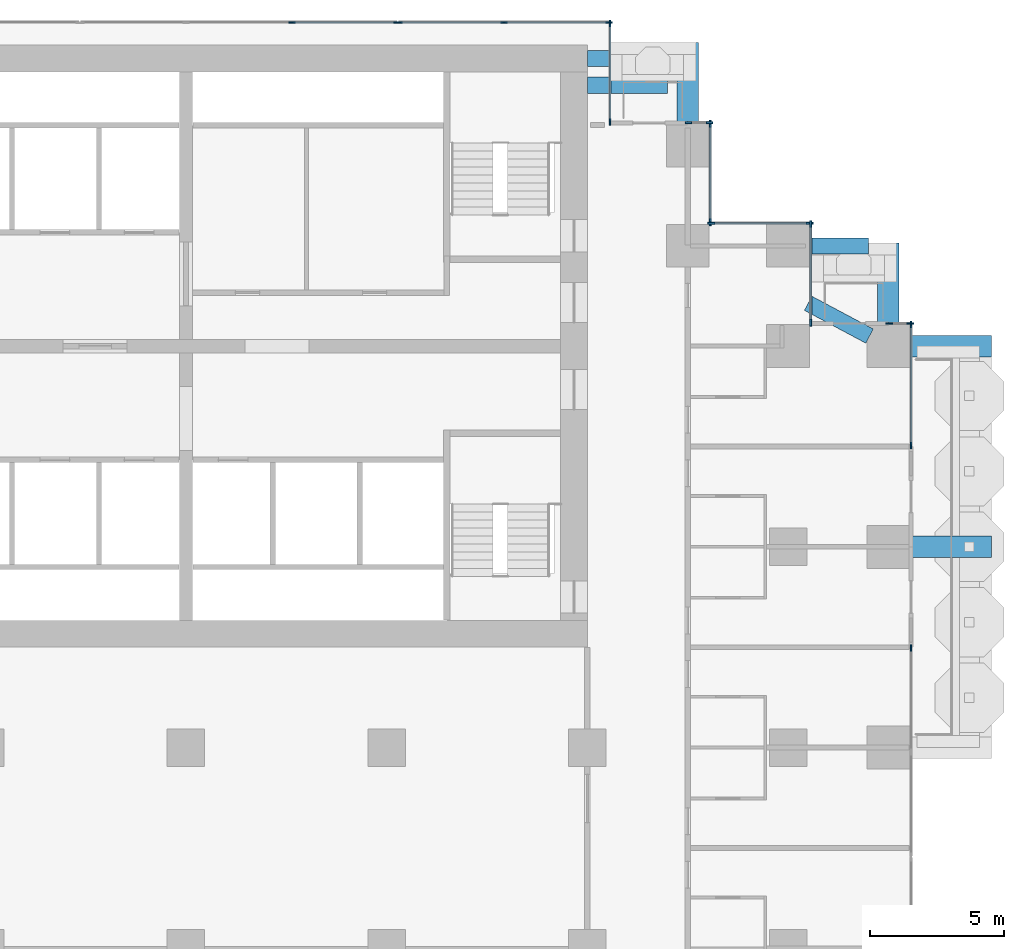
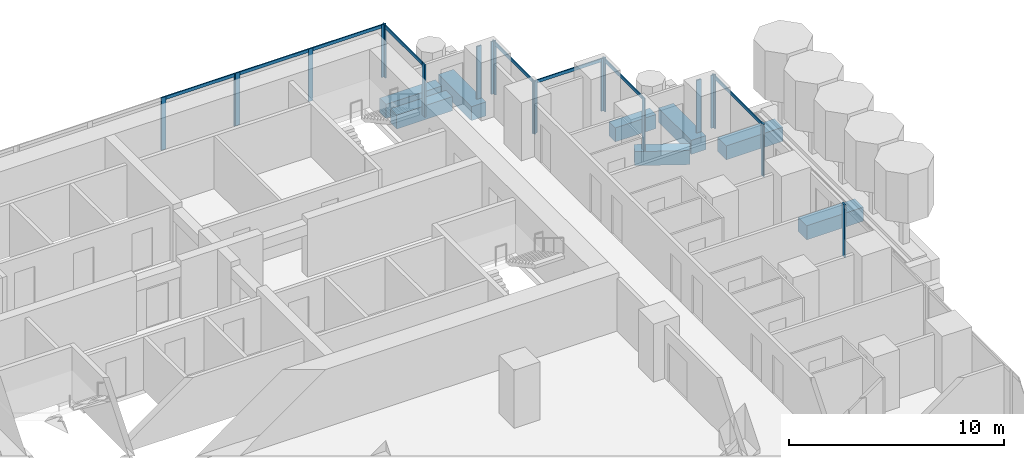
# One storey, part 5 of 19: 28 members, 8 beams, 10 elements without a shape of their own.
"""IFC4 building model written with IfcOpenShell, lengths in metres."""

from ifc_helpers import new_model, si_unit, direction, frame, origin, origin_2d, place, context, subcontext, project, spatial, rectangle, extrude, material, material_profile, profile_set, type_object, element, aggregate, save


model = new_model("IFC4")

# Units and contexts
model_context = context("Model", 3, precision=1e-05, world=origin(), true_north=direction((0.0, 1.0)))
body_context = subcontext(model_context, "Body", "Model", "MODEL_VIEW")
ifc_project = project(units=[si_unit("LENGTHUNIT", "METRE"), si_unit("AREAUNIT", "SQUARE_METRE"), si_unit("VOLUMEUNIT", "CUBIC_METRE"), si_unit("PLANEANGLEUNIT", "RADIAN"), si_unit("MASSUNIT", "GRAM", prefix="KILO")], contexts=[model_context])

# Site, building, storey
site_placement = place(None, origin())
site = spatial("IfcSite", under=ifc_project, at=site_placement, CompositionType="ELEMENT")
building_placement = place(site_placement, origin())
building = spatial("IfcBuilding", under=site, at=building_placement, Name="Pilkhan Gate Tower", CompositionType="ELEMENT")
storey_placement = place(building_placement, frame((0.0, 0.0, 39.5)))
storey = spatial("IfcBuildingStorey", under=building, at=storey_placement, Name="L06", CompositionType="ELEMENT", Elevation=39.5)

# Beams
ifc_material_1 = material(Name="Concrete C50/60", Category="concrete")
ifc_material_profile_1 = material_profile(ifc_material_1, rectangle(XDim=0.60009765625, YDim=0.800048828125, at=origin_2d()), Name="RC 600x800")
ifc_profile_set_1 = profile_set([ifc_material_profile_1], Name="Concrete C50/60")
beam_type_1 = type_object("IfcBeamType", Name="Cantilever beam CB1 RC 600x800 C50/60", PredefinedType="BEAM", material=ifc_profile_set_1)
for number, where, z_axis, x_axis, name in (
    (1, (90.0, 93.25, -0.699951171875), (1.0, 0.0, 0.0), (0.0, 1.0, 0.0), "Balcony beam NE.2 L06"),
    (2, (90.0, 92.25, -0.699951171875), (1.0, 0.0, 0.0), (0.0, 1.0, 0.0), "Balcony beam NE.3 L06"),
):
    element("IfcBeam", number, at=place(storey_placement, frame(where, z_axis=z_axis, x_axis=x_axis)), inside=storey, type_object=beam_type_1, Name=name, PredefinedType="BEAM", context=body_context, shape_type="SweptSolid", body=[
        extrude(rectangle(XDim=0.60009765625, YDim=0.800048828125, at=origin_2d()), origin(), (0.0, 0.0, 1.0), 3.0),
    ])
beam_1_placement = place(storey_placement, frame((98.300048828125, 86.25, -0.699951171875), z_axis=(1.0, 0.0, 0.0), x_axis=(0.0, 1.0, 0.0)))
element("IfcBeam", 3, at=beam_1_placement, inside=storey, type_object=beam_type_1, Name="Balcony beam NE2.2 L06", PredefinedType="BEAM", context=body_context, shape_type="SweptSolid", body=[
    extrude(rectangle(XDim=0.60009765625, YDim=0.800048828125, at=origin_2d()), origin(), (0.0, 0.0, 1.0), 2.199951171875),
])
beam_2_placement = place(storey_placement, frame((100.544189453125, 82.87646484375, -0.699951171875), z_axis=(-0.882342544151, 0.470607729199, 0.0), x_axis=(-0.470607729199, -0.882342544151, 0.0)))
element("IfcBeam", 4, at=beam_2_placement, inside=storey, type_object=beam_type_1, Name="Balcony beam NE2.3 L06", PredefinedType="BEAM", context=body_context, shape_type="SweptSolid", body=[
    extrude(rectangle(XDim=0.60009765625, YDim=0.800048828125, at=origin_2d()), origin(), (0.0, 0.0, 1.0), 2.60009765625),
])
ifc_material_profile_2 = material_profile(ifc_material_1, rectangle(XDim=0.800048828125, YDim=0.800048828125, at=origin_2d()), Name="RC 800x800")
ifc_profile_set_2 = profile_set([ifc_material_profile_2], Name="Concrete C50/60")
beam_type_2 = type_object("IfcBeamType", Name="Cantilever beam CB2 RC 800x800 C50/60", PredefinedType="BEAM", material=ifc_profile_set_2)
for number, where, z_axis, x_axis, name in (
    (5, (102.050048828125, 75.0, -0.699951171875), (1.0, 0.0, 0.0), (0.0, 1.0, 0.0), "Balcony beam E.2 L06"),
    (6, (102.050048828125, 82.5, -0.699951171875), (1.0, 0.0, 0.0), (0.0, 1.0, 0.0), "Balcony beam E.3 L06"),
    (7, (93.75, 90.800048828125, -0.699951171875), (0.0, 1.0, 0.0), (-1.0, 0.0, 0.0), "Balcony beam NE.1 L06"),
    (8, (101.25, 83.300048828125, -0.699951171875), (0.0, 1.0, 0.0), (-1.0, 0.0, 0.0), "Balcony beam NE2.1 L06"),
):
    element("IfcBeam", number, at=place(storey_placement, frame(where, z_axis=z_axis, x_axis=x_axis)), inside=storey, type_object=beam_type_2, Name=name, PredefinedType="BEAM", context=body_context, shape_type="SweptSolid", body=[
        extrude(rectangle(XDim=0.800048828125, YDim=0.800048828125, at=origin_2d()), origin(), (0.0, 0.0, 1.0), 3.050048828125),
    ])

# Curtain wall, member
ifc_material_2 = material(Name="Pale anodised aluminium, clear low-iron double glazing", Category="aluminium")
curtain_wall_type = type_object("IfcCurtainWallType", Name="Hotel unitised curtain wall CW-H", PredefinedType="USERDEFINED", material=ifc_material_2)
curtain_wall_1_placement = place(storey_placement, origin())
curtain_wall_1 = element("IfcCurtainWall", 9, at=curtain_wall_1_placement, inside=storey, type_object=curtain_wall_type, Name="Hotel unitised curtain wall CW-H L06 E", ObjectType="UNITISED CURTAIN WALL", PredefinedType="USERDEFINED")
ifc_material_3 = material(Name="Pale anodised aluminium", Category="aluminium")
ifc_material_profile_3 = material_profile(ifc_material_3, rectangle(XDim=0.06494140625, YDim=0.25, at=origin_2d()), Name="Mullion 250x65")
ifc_profile_set_3 = profile_set([ifc_material_profile_3], Name="Pale anodised aluminium")
member_type_1 = type_object("IfcMemberType", Name="Mullion CW-H 250x65", PredefinedType="MULLION", material=ifc_profile_set_3)
member_1_placement = place(storey_placement, frame((102.094970703125, 71.217529296875, 0.0), z_axis=(0.0, 0.0, 1.0), x_axis=(-1.0, 0.0, 0.0)))
member_1 = element("IfcMember", 10, at=member_1_placement, type_object=member_type_1, Name="CW-H mullion 3", PredefinedType="MULLION", context=body_context, shape_type="SweptSolid", body=[
    extrude(rectangle(XDim=0.06494140625, YDim=0.25, at=origin_2d()), origin(), (0.0, 0.0, 1.0), 3.0),
])
aggregate(curtain_wall_1, [member_1])

# Curtain wall, members
curtain_wall_2_placement = place(storey_placement, origin())
curtain_wall_2 = element("IfcCurtainWall", 11, at=curtain_wall_2_placement, inside=storey, type_object=curtain_wall_type, Name="Hotel unitised curtain wall CW-H L06 E", ObjectType="UNITISED CURTAIN WALL", PredefinedType="USERDEFINED")
member_2_placement = place(storey_placement, frame((102.094970703125, 78.782470703125, 0.0), z_axis=(0.0, 0.0, 1.0), x_axis=(-1.0, 0.0, 0.0)))
member_2 = element("IfcMember", 12, at=member_2_placement, type_object=member_type_1, Name="CW-H mullion 1", PredefinedType="MULLION", context=body_context, shape_type="SweptSolid", body=[
    extrude(rectangle(XDim=0.06494140625, YDim=0.25, at=origin_2d()), origin(), (0.0, 0.0, 1.0), 3.0),
])
member_3_placement = place(storey_placement, frame((102.094970703125, 83.3125, 0.0), z_axis=(0.0, 0.0, 1.0), x_axis=(-1.0, 0.0, 0.0)))
member_3 = element("IfcMember", 13, at=member_3_placement, type_object=member_type_1, Name="CW-H mullion 2", PredefinedType="MULLION", context=body_context, shape_type="SweptSolid", body=[
    extrude(rectangle(XDim=0.06494140625, YDim=0.25, at=origin_2d()), origin(), (0.0, 0.0, 1.0), 3.0),
])

curtain_wall_3_placement = place(storey_placement, origin())
curtain_wall_3 = element("IfcCurtainWall", 14, at=curtain_wall_3_placement, inside=storey, type_object=curtain_wall_type, Name="Hotel unitised curtain wall CW-H L06 N", ObjectType="UNITISED CURTAIN WALL", PredefinedType="USERDEFINED")
member_4_placement = place(storey_placement, frame((101.282470703125, 83.344970703125, 0.0), z_axis=(0.0, 0.0, 1.0), x_axis=(0.0, 1.0, 0.0)))
member_4 = element("IfcMember", 15, at=member_4_placement, type_object=member_type_1, Name="CW-H mullion 1", PredefinedType="MULLION", context=body_context, shape_type="SweptSolid", body=[
    extrude(rectangle(XDim=0.06494140625, YDim=0.25, at=origin_2d()), origin(), (0.0, 0.0, 1.0), 3.0),
])
member_5_placement = place(storey_placement, frame((102.0625, 83.344970703125, 0.0), z_axis=(0.0, 0.0, 1.0), x_axis=(0.0, 1.0, 0.0)))
member_5 = element("IfcMember", 16, at=member_5_placement, type_object=member_type_1, Name="CW-H mullion 2", PredefinedType="MULLION", context=body_context, shape_type="SweptSolid", body=[
    extrude(rectangle(XDim=0.06494140625, YDim=0.25, at=origin_2d()), origin(), (0.0, 0.0, 1.0), 3.0),
])
aggregate(curtain_wall_3, [member_4, member_5])

curtain_wall_4_placement = place(storey_placement, origin())
curtain_wall_4 = element("IfcCurtainWall", 17, at=curtain_wall_4_placement, inside=storey, type_object=curtain_wall_type, Name="Hotel unitised curtain wall CW-H L06 E", ObjectType="UNITISED CURTAIN WALL", PredefinedType="USERDEFINED")
member_6_placement = place(storey_placement, frame((98.344970703125, 83.37744140625, 0.0), z_axis=(0.0, 0.0, 1.0), x_axis=(-1.0, 0.0, 0.0)))
member_6 = element("IfcMember", 18, at=member_6_placement, type_object=member_type_1, Name="CW-H mullion 1", PredefinedType="MULLION", context=body_context, shape_type="SweptSolid", body=[
    extrude(rectangle(XDim=0.06494140625, YDim=0.25, at=origin_2d()), origin(), (0.0, 0.0, 1.0), 3.0),
])
member_7_placement = place(storey_placement, frame((98.344970703125, 87.0625, 0.0), z_axis=(0.0, 0.0, 1.0), x_axis=(-1.0, 0.0, 0.0)))
member_7 = element("IfcMember", 19, at=member_7_placement, type_object=member_type_1, Name="CW-H mullion 2", PredefinedType="MULLION", context=body_context, shape_type="SweptSolid", body=[
    extrude(rectangle(XDim=0.06494140625, YDim=0.25, at=origin_2d()), origin(), (0.0, 0.0, 1.0), 3.0),
])

curtain_wall_5_placement = place(storey_placement, origin())
curtain_wall_5 = element("IfcCurtainWall", 20, at=curtain_wall_5_placement, inside=storey, type_object=curtain_wall_type, Name="Hotel unitised curtain wall CW-H L06 N", ObjectType="UNITISED CURTAIN WALL", PredefinedType="USERDEFINED")
member_8_placement = place(storey_placement, frame((94.62744140625, 87.094970703125, 0.0), z_axis=(0.0, 0.0, 1.0), x_axis=(0.0, 1.0, 0.0)))
member_8 = element("IfcMember", 21, at=member_8_placement, type_object=member_type_1, Name="CW-H mullion 1", PredefinedType="MULLION", context=body_context, shape_type="SweptSolid", body=[
    extrude(rectangle(XDim=0.06494140625, YDim=0.25, at=origin_2d()), origin(), (0.0, 0.0, 1.0), 3.0),
])
member_9_placement = place(storey_placement, frame((98.3125, 87.094970703125, 0.0), z_axis=(0.0, 0.0, 1.0), x_axis=(0.0, 1.0, 0.0)))
member_9 = element("IfcMember", 22, at=member_9_placement, type_object=member_type_1, Name="CW-H mullion 2", PredefinedType="MULLION", context=body_context, shape_type="SweptSolid", body=[
    extrude(rectangle(XDim=0.06494140625, YDim=0.25, at=origin_2d()), origin(), (0.0, 0.0, 1.0), 3.0),
])

curtain_wall_6_placement = place(storey_placement, origin())
curtain_wall_6 = element("IfcCurtainWall", 23, at=curtain_wall_6_placement, inside=storey, type_object=curtain_wall_type, Name="Hotel unitised curtain wall CW-H L06 E", ObjectType="UNITISED CURTAIN WALL", PredefinedType="USERDEFINED")
member_10_placement = place(storey_placement, frame((94.594970703125, 87.12744140625, 0.0), z_axis=(0.0, 0.0, 1.0), x_axis=(-1.0, 0.0, 0.0)))
member_10 = element("IfcMember", 24, at=member_10_placement, type_object=member_type_1, Name="CW-H mullion 1", PredefinedType="MULLION", context=body_context, shape_type="SweptSolid", body=[
    extrude(rectangle(XDim=0.06494140625, YDim=0.25, at=origin_2d()), origin(), (0.0, 0.0, 1.0), 3.0),
])
member_11_placement = place(storey_placement, frame((94.594970703125, 90.8125, 0.0), z_axis=(0.0, 0.0, 1.0), x_axis=(-1.0, 0.0, 0.0)))
member_11 = element("IfcMember", 25, at=member_11_placement, type_object=member_type_1, Name="CW-H mullion 2", PredefinedType="MULLION", context=body_context, shape_type="SweptSolid", body=[
    extrude(rectangle(XDim=0.06494140625, YDim=0.25, at=origin_2d()), origin(), (0.0, 0.0, 1.0), 3.0),
])

curtain_wall_7_placement = place(storey_placement, origin())
curtain_wall_7 = element("IfcCurtainWall", 26, at=curtain_wall_7_placement, inside=storey, type_object=curtain_wall_type, Name="Hotel unitised curtain wall CW-H L06 N", ObjectType="UNITISED CURTAIN WALL", PredefinedType="USERDEFINED")
member_12_placement = place(storey_placement, frame((93.782470703125, 90.844970703125, 0.0), z_axis=(0.0, 0.0, 1.0), x_axis=(0.0, 1.0, 0.0)))
member_12 = element("IfcMember", 27, at=member_12_placement, type_object=member_type_1, Name="CW-H mullion 1", PredefinedType="MULLION", context=body_context, shape_type="SweptSolid", body=[
    extrude(rectangle(XDim=0.06494140625, YDim=0.25, at=origin_2d()), origin(), (0.0, 0.0, 1.0), 3.0),
])
member_13_placement = place(storey_placement, frame((94.5625, 90.844970703125, 0.0), z_axis=(0.0, 0.0, 1.0), x_axis=(0.0, 1.0, 0.0)))
member_13 = element("IfcMember", 28, at=member_13_placement, type_object=member_type_1, Name="CW-H mullion 2", PredefinedType="MULLION", context=body_context, shape_type="SweptSolid", body=[
    extrude(rectangle(XDim=0.06494140625, YDim=0.25, at=origin_2d()), origin(), (0.0, 0.0, 1.0), 3.0),
])
aggregate(curtain_wall_7, [member_12, member_13])

curtain_wall_8_placement = place(storey_placement, origin())
curtain_wall_8 = element("IfcCurtainWall", 29, at=curtain_wall_8_placement, inside=storey, type_object=curtain_wall_type, Name="Hotel unitised curtain wall CW-H L06 E", ObjectType="UNITISED CURTAIN WALL", PredefinedType="USERDEFINED")
member_14_placement = place(storey_placement, frame((90.844970703125, 90.87744140625, 0.0), z_axis=(0.0, 0.0, 1.0), x_axis=(-1.0, 0.0, 0.0)))
member_14 = element("IfcMember", 30, at=member_14_placement, type_object=member_type_1, Name="CW-H mullion 1", PredefinedType="MULLION", context=body_context, shape_type="SweptSolid", body=[
    extrude(rectangle(XDim=0.06494140625, YDim=0.25, at=origin_2d()), origin(), (0.0, 0.0, 1.0), 3.0),
])
member_15_placement = place(storey_placement, frame((90.844970703125, 94.5625, 0.0), z_axis=(0.0, 0.0, 1.0), x_axis=(-1.0, 0.0, 0.0)))
member_15 = element("IfcMember", 31, at=member_15_placement, type_object=member_type_1, Name="CW-H mullion 2", PredefinedType="MULLION", context=body_context, shape_type="SweptSolid", body=[
    extrude(rectangle(XDim=0.06494140625, YDim=0.25, at=origin_2d()), origin(), (0.0, 0.0, 1.0), 3.0),
])

curtain_wall_9_placement = place(storey_placement, origin())
curtain_wall_9 = element("IfcCurtainWall", 32, at=curtain_wall_9_placement, inside=storey, type_object=curtain_wall_type, Name="Hotel unitised curtain wall CW-H L06 N", ObjectType="UNITISED CURTAIN WALL", PredefinedType="USERDEFINED")
member_16_placement = place(storey_placement, frame((78.961181640625, 94.594970703125, 0.0), z_axis=(0.0, 0.0, 1.0), x_axis=(0.0, 1.0, 0.0)))
member_16 = element("IfcMember", 33, at=member_16_placement, type_object=member_type_1, Name="CW-H mullion 3", PredefinedType="MULLION", context=body_context, shape_type="SweptSolid", body=[
    extrude(rectangle(XDim=0.06494140625, YDim=0.25, at=origin_2d()), origin(), (0.0, 0.0, 1.0), 3.0),
])
member_17_placement = place(storey_placement, frame((82.889892578125, 94.594970703125, 0.0), z_axis=(0.0, 0.0, 1.0), x_axis=(0.0, 1.0, 0.0)))
member_17 = element("IfcMember", 34, at=member_17_placement, type_object=member_type_1, Name="CW-H mullion 4", PredefinedType="MULLION", context=body_context, shape_type="SweptSolid", body=[
    extrude(rectangle(XDim=0.06494140625, YDim=0.25, at=origin_2d()), origin(), (0.0, 0.0, 1.0), 3.0),
])

curtain_wall_10_placement = place(storey_placement, origin())
curtain_wall_10 = element("IfcCurtainWall", 35, at=curtain_wall_10_placement, inside=storey, type_object=curtain_wall_type, Name="Hotel unitised curtain wall CW-H L06 N", ObjectType="UNITISED CURTAIN WALL", PredefinedType="USERDEFINED")
member_18_placement = place(storey_placement, frame((82.955078125, 94.594970703125, 0.0), z_axis=(0.0, 0.0, 1.0), x_axis=(0.0, 1.0, 0.0)))
member_18 = element("IfcMember", 36, at=member_18_placement, type_object=member_type_1, Name="CW-H mullion 1", PredefinedType="MULLION", context=body_context, shape_type="SweptSolid", body=[
    extrude(rectangle(XDim=0.06494140625, YDim=0.25, at=origin_2d()), origin(), (0.0, 0.0, 1.0), 3.0),
])
member_19_placement = place(storey_placement, frame((86.8837890625, 94.594970703125, 0.0), z_axis=(0.0, 0.0, 1.0), x_axis=(0.0, 1.0, 0.0)))
member_19 = element("IfcMember", 37, at=member_19_placement, type_object=member_type_1, Name="CW-H mullion 2", PredefinedType="MULLION", context=body_context, shape_type="SweptSolid", body=[
    extrude(rectangle(XDim=0.06494140625, YDim=0.25, at=origin_2d()), origin(), (0.0, 0.0, 1.0), 3.0),
])
member_20_placement = place(storey_placement, frame((90.8125, 94.594970703125, 0.0), z_axis=(0.0, 0.0, 1.0), x_axis=(0.0, 1.0, 0.0)))
member_20 = element("IfcMember", 38, at=member_20_placement, type_object=member_type_1, Name="CW-H mullion 3", PredefinedType="MULLION", context=body_context, shape_type="SweptSolid", body=[
    extrude(rectangle(XDim=0.06494140625, YDim=0.25, at=origin_2d()), origin(), (0.0, 0.0, 1.0), 3.0),
])

# Member
ifc_material_profile_4 = material_profile(ifc_material_3, rectangle(XDim=0.06494140625, YDim=0.179931640625, at=origin_2d()), Name="Transom 180x65")
ifc_profile_set_4 = profile_set([ifc_material_profile_4], Name="Pale anodised aluminium")
member_type_2 = type_object("IfcMemberType", Name="Transom CW-H 180x65", PredefinedType="USERDEFINED", material=ifc_profile_set_4)
member_21_placement = place(storey_placement, frame((102.094970703125, 78.81494140625, 2.909912109375), z_axis=(0.0, 1.0, 0.0), x_axis=(-1.0, 0.0, 0.0)))
member_21 = element("IfcMember", 39, at=member_21_placement, type_object=member_type_2, Name="CW-H transom 1", ObjectType="TRANSOM", PredefinedType="USERDEFINED", context=body_context, shape_type="SweptSolid", body=[
    extrude(rectangle(XDim=0.06494140625, YDim=0.179931640625, at=origin_2d()), origin(), (0.0, 0.0, 1.0), 4.465087890625),
])

aggregate(curtain_wall_2, [member_2, member_3, member_21])

member_22_placement = place(storey_placement, frame((98.344970703125, 83.409912109375, 2.909912109375), z_axis=(0.0, 1.0, 0.0), x_axis=(-1.0, 0.0, 0.0)))
member_22 = element("IfcMember", 40, at=member_22_placement, type_object=member_type_2, Name="CW-H transom 1", ObjectType="TRANSOM", PredefinedType="USERDEFINED", context=body_context, shape_type="SweptSolid", body=[
    extrude(rectangle(XDim=0.06494140625, YDim=0.179931640625, at=origin_2d()), origin(), (0.0, 0.0, 1.0), 3.6201171875),
])

aggregate(curtain_wall_4, [member_6, member_7, member_22])

member_23_placement = place(storey_placement, frame((94.659912109375, 87.094970703125, 2.909912109375), z_axis=(1.0, 0.0, 0.0), x_axis=(0.0, 1.0, 0.0)))
member_23 = element("IfcMember", 41, at=member_23_placement, type_object=member_type_2, Name="CW-H transom 1", ObjectType="TRANSOM", PredefinedType="USERDEFINED", context=body_context, shape_type="SweptSolid", body=[
    extrude(rectangle(XDim=0.06494140625, YDim=0.179931640625, at=origin_2d()), origin(), (0.0, 0.0, 1.0), 3.6201171875),
])

aggregate(curtain_wall_5, [member_8, member_9, member_23])

member_24_placement = place(storey_placement, frame((94.594970703125, 87.159912109375, 2.909912109375), z_axis=(0.0, 1.0, 0.0), x_axis=(-1.0, 0.0, 0.0)))
member_24 = element("IfcMember", 42, at=member_24_placement, type_object=member_type_2, Name="CW-H transom 1", ObjectType="TRANSOM", PredefinedType="USERDEFINED", context=body_context, shape_type="SweptSolid", body=[
    extrude(rectangle(XDim=0.06494140625, YDim=0.179931640625, at=origin_2d()), origin(), (0.0, 0.0, 1.0), 3.6201171875),
])

aggregate(curtain_wall_6, [member_10, member_11, member_24])

member_25_placement = place(storey_placement, frame((90.844970703125, 90.909912109375, 2.909912109375), z_axis=(0.0, 1.0, 0.0), x_axis=(-1.0, 0.0, 0.0)))
member_25 = element("IfcMember", 43, at=member_25_placement, type_object=member_type_2, Name="CW-H transom 1", ObjectType="TRANSOM", PredefinedType="USERDEFINED", context=body_context, shape_type="SweptSolid", body=[
    extrude(rectangle(XDim=0.06494140625, YDim=0.179931640625, at=origin_2d()), origin(), (0.0, 0.0, 1.0), 3.6201171875),
])

aggregate(curtain_wall_8, [member_14, member_15, member_25])

member_26_placement = place(storey_placement, frame((78.99365234375, 94.594970703125, 2.909912109375), z_axis=(1.0, 0.0, 0.0), x_axis=(0.0, 1.0, 0.0)))
member_26 = element("IfcMember", 44, at=member_26_placement, type_object=member_type_2, Name="CW-H transom 3", ObjectType="TRANSOM", PredefinedType="USERDEFINED", context=body_context, shape_type="SweptSolid", body=[
    extrude(rectangle(XDim=0.06494140625, YDim=0.179931640625, at=origin_2d()), origin(), (0.0, 0.0, 1.0), 3.86376953125),
])

aggregate(curtain_wall_9, [member_16, member_17, member_26])

member_27_placement = place(storey_placement, frame((82.987548828125, 94.594970703125, 2.909912109375), z_axis=(1.0, 0.0, 0.0), x_axis=(0.0, 1.0, 0.0)))
member_27 = element("IfcMember", 45, at=member_27_placement, type_object=member_type_2, Name="CW-H transom 1", ObjectType="TRANSOM", PredefinedType="USERDEFINED", context=body_context, shape_type="SweptSolid", body=[
    extrude(rectangle(XDim=0.06494140625, YDim=0.179931640625, at=origin_2d()), origin(), (0.0, 0.0, 1.0), 3.86376953125),
])

member_28_placement = place(storey_placement, frame((86.916259765625, 94.594970703125, 2.909912109375), z_axis=(1.0, 0.0, 0.0), x_axis=(0.0, 1.0, 0.0)))
member_28 = element("IfcMember", 46, at=member_28_placement, type_object=member_type_2, Name="CW-H transom 2", ObjectType="TRANSOM", PredefinedType="USERDEFINED", context=body_context, shape_type="SweptSolid", body=[
    extrude(rectangle(XDim=0.06494140625, YDim=0.179931640625, at=origin_2d()), origin(), (0.0, 0.0, 1.0), 3.86376953125),
])

aggregate(curtain_wall_10, [member_18, member_19, member_20, member_27, member_28])

save(model, "model.ifc")
